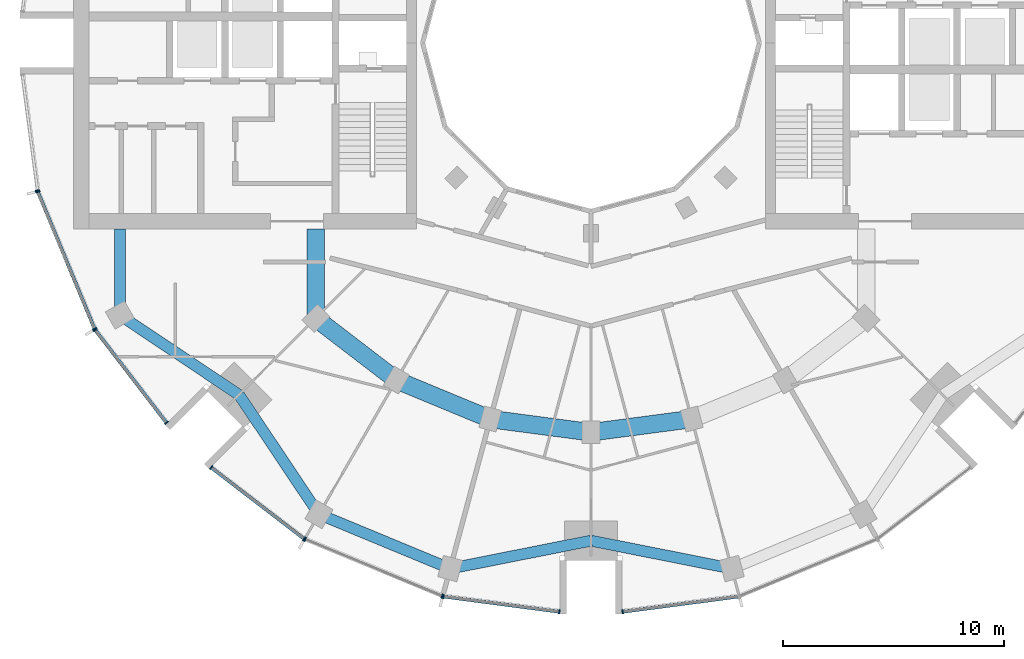
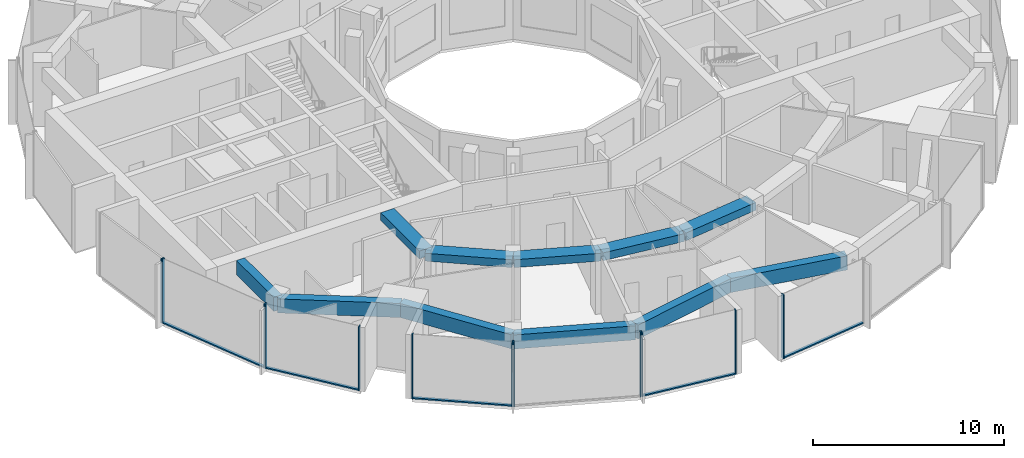
# One storey, part 2 of 15: 17 members, 11 beams, 7 elements without a shape of their own.
"""IFC4 building model written with IfcOpenShell, lengths in metres."""

from ifc_helpers import new_model, si_unit, direction, frame, origin, origin_2d, place, context, subcontext, project, spatial, rectangle, extrude, material, layer, layer_set, material_profile, profile_set, type_object, element, aggregate, save


model = new_model("IFC4")

# Units and contexts
model_context = context("Model", 3, precision=1e-05, world=origin(), true_north=direction((0.0, 1.0)))
body_context = subcontext(model_context, "Body", "Model", "MODEL_VIEW")
ifc_project = project(units=[si_unit("LENGTHUNIT", "METRE"), si_unit("AREAUNIT", "SQUARE_METRE"), si_unit("VOLUMEUNIT", "CUBIC_METRE"), si_unit("PLANEANGLEUNIT", "RADIAN"), si_unit("MASSUNIT", "GRAM", prefix="KILO")], contexts=[model_context])

# Site, building, storey
site_placement = place(None, origin())
site = spatial("IfcSite", under=ifc_project, at=site_placement, CompositionType="ELEMENT")
building_placement = place(site_placement, origin())
building = spatial("IfcBuilding", under=site, at=building_placement, Name="Torre Brocal", CompositionType="ELEMENT")
storey_placement = place(building_placement, frame((0.0, 0.0, 198.699951171875)))
storey = spatial("IfcBuildingStorey", under=building, at=storey_placement, Name="L46", CompositionType="ELEMENT", Elevation=198.699951171875)

# Curtain wall, members
ifc_material_1 = material(Name="Aluminium and glass", Category="aluminium")
ifc_layer_1 = layer(ifc_material_1, 0.199951171875)
ifc_layer_set_1 = layer_set([ifc_layer_1], Name="Aluminium and glass")
curtain_wall_type_1 = type_object("IfcCurtainWallType", Name="CW-1 CURTAIN WALL 4100 HIGH", PredefinedType="NOTDEFINED", material=ifc_layer_set_1)
curtain_wall_1_placement = place(storey_placement, origin())
curtain_wall_1 = element("IfcCurtainWall", 1, at=curtain_wall_1_placement, inside=storey, type_object=curtain_wall_type_1, Name="CW-1 RUN 14", PredefinedType="NOTDEFINED")
ifc_material_2 = material(Name="Aluminium, dark anodised", Category="aluminium")
ifc_material_profile_1 = material_profile(ifc_material_2, rectangle(XDim=0.199951171875, YDim=0.06005859375, at=origin_2d()), Name="CW-1 MULLION 60X200")
ifc_profile_set_1 = profile_set([ifc_material_profile_1], Name="Aluminium, dark anodised")
member_type_1 = type_object("IfcMemberType", Name="CW-1 MULLION 60X200", PredefinedType="MULLION", material=ifc_profile_set_1)
member_1_placement = place(storey_placement, frame((54.994873046875, 68.26904296875, 0.0), z_axis=(0.0, 0.0, 1.0), x_axis=(0.923879532525, 0.382683432333, 0.0)))
member_1 = element("IfcMember", 2, at=member_1_placement, type_object=member_type_1, Name="CW1-4 mullion 1", PredefinedType="MULLION", context=body_context, shape_type="SweptSolid", body=[
    extrude(rectangle(XDim=0.199951171875, YDim=0.06005859375, at=origin_2d()), origin(), (0.0, 0.0, 1.0), 4.10009765625),
])
member_2_placement = place(storey_placement, frame((57.559326171875, 62.078125, 0.0), z_axis=(0.0, 0.0, 1.0), x_axis=(0.923879532525, 0.382683432333, 0.0)))
member_2 = element("IfcMember", 3, at=member_2_placement, type_object=member_type_1, Name="CW1-4 mullion 2", PredefinedType="MULLION", context=body_context, shape_type="SweptSolid", body=[
    extrude(rectangle(XDim=0.199951171875, YDim=0.06005859375, at=origin_2d()), origin(), (0.0, 0.0, 1.0), 4.10009765625),
])

curtain_wall_2_placement = place(storey_placement, origin())
curtain_wall_2 = element("IfcCurtainWall", 4, at=curtain_wall_2_placement, inside=storey, type_object=curtain_wall_type_1, Name="CW-1 RUN 15", PredefinedType="NOTDEFINED")
member_3_placement = place(storey_placement, frame((57.5888671875, 62.026611328125, 0.0), z_axis=(0.0, 0.0, 1.0), x_axis=(0.793353340259, 0.60876142905, 0.0)))
member_3 = element("IfcMember", 5, at=member_3_placement, type_object=member_type_1, Name="CW1-4 mullion 1", PredefinedType="MULLION", context=body_context, shape_type="SweptSolid", body=[
    extrude(rectangle(XDim=0.199951171875, YDim=0.06005859375, at=origin_2d()), origin(), (0.0, 0.0, 1.0), 4.10009765625),
])
member_4_placement = place(storey_placement, frame((60.80859375, 57.83056640625, 0.0), z_axis=(0.0, 0.0, 1.0), x_axis=(0.793353340259, 0.60876142905, 0.0)))
member_4 = element("IfcMember", 6, at=member_4_placement, type_object=member_type_1, Name="CW1-4 mullion 2", PredefinedType="MULLION", context=body_context, shape_type="SweptSolid", body=[
    extrude(rectangle(XDim=0.199951171875, YDim=0.06005859375, at=origin_2d()), origin(), (0.0, 0.0, 1.0), 4.10009765625),
])

curtain_wall_3_placement = place(storey_placement, origin())
curtain_wall_3 = element("IfcCurtainWall", 7, at=curtain_wall_3_placement, inside=storey, type_object=curtain_wall_type_1, Name="CW-1 RUN 16", PredefinedType="NOTDEFINED")
member_5_placement = place(storey_placement, frame((62.83056640625, 55.80859375, 0.0), z_axis=(0.0, 0.0, 1.0), x_axis=(0.60876142905, 0.793353340259, 0.0)))
member_5 = element("IfcMember", 8, at=member_5_placement, type_object=member_type_1, Name="CW1-4 mullion 1", PredefinedType="MULLION", context=body_context, shape_type="SweptSolid", body=[
    extrude(rectangle(XDim=0.199951171875, YDim=0.06005859375, at=origin_2d()), origin(), (0.0, 0.0, 1.0), 4.10009765625),
])
member_6_placement = place(storey_placement, frame((67.026611328125, 52.5888671875, 0.0), z_axis=(0.0, 0.0, 1.0), x_axis=(0.60876142905, 0.793353340259, 0.0)))
member_6 = element("IfcMember", 9, at=member_6_placement, type_object=member_type_1, Name="CW1-4 mullion 2", PredefinedType="MULLION", context=body_context, shape_type="SweptSolid", body=[
    extrude(rectangle(XDim=0.199951171875, YDim=0.06005859375, at=origin_2d()), origin(), (0.0, 0.0, 1.0), 4.10009765625),
])

curtain_wall_4_placement = place(storey_placement, origin())
curtain_wall_4 = element("IfcCurtainWall", 10, at=curtain_wall_4_placement, inside=storey, type_object=curtain_wall_type_1, Name="CW-1 RUN 17", PredefinedType="NOTDEFINED")
member_7_placement = place(storey_placement, frame((67.078125, 52.559326171875, 0.0), z_axis=(0.0, 0.0, 1.0), x_axis=(0.382683432333, 0.923879532525, 0.0)))
member_7 = element("IfcMember", 11, at=member_7_placement, type_object=member_type_1, Name="CW1-4 mullion 1", PredefinedType="MULLION", context=body_context, shape_type="SweptSolid", body=[
    extrude(rectangle(XDim=0.199951171875, YDim=0.06005859375, at=origin_2d()), origin(), (0.0, 0.0, 1.0), 4.10009765625),
])
member_8_placement = place(storey_placement, frame((73.26904296875, 49.994873046875, 0.0), z_axis=(0.0, 0.0, 1.0), x_axis=(0.382683432333, 0.923879532525, 0.0)))
member_8 = element("IfcMember", 12, at=member_8_placement, type_object=member_type_1, Name="CW1-4 mullion 2", PredefinedType="MULLION", context=body_context, shape_type="SweptSolid", body=[
    extrude(rectangle(XDim=0.199951171875, YDim=0.06005859375, at=origin_2d()), origin(), (0.0, 0.0, 1.0), 4.10009765625),
])
aggregate(curtain_wall_4, [member_7, member_8])

curtain_wall_5_placement = place(storey_placement, origin())
curtain_wall_5 = element("IfcCurtainWall", 13, at=curtain_wall_5_placement, inside=storey, type_object=curtain_wall_type_1, Name="CW-1 RUN 18", PredefinedType="NOTDEFINED")
member_9_placement = place(storey_placement, frame((73.32666015625, 49.9794921875, 0.0), z_axis=(0.0, 0.0, 1.0), x_axis=(0.13052619222, 0.991444861374, 0.0)))
member_9 = element("IfcMember", 14, at=member_9_placement, type_object=member_type_1, Name="CW1-4 mullion 1", PredefinedType="MULLION", context=body_context, shape_type="SweptSolid", body=[
    extrude(rectangle(XDim=0.199951171875, YDim=0.06005859375, at=origin_2d()), origin(), (0.0, 0.0, 1.0), 4.10009765625),
])
member_10_placement = place(storey_placement, frame((78.5703125, 49.2890625, 0.0), z_axis=(0.0, 0.0, 1.0), x_axis=(0.13052619222, 0.991444861374, 0.0)))
member_10 = element("IfcMember", 15, at=member_10_placement, type_object=member_type_1, Name="CW1-4 mullion 2", PredefinedType="MULLION", context=body_context, shape_type="SweptSolid", body=[
    extrude(rectangle(XDim=0.199951171875, YDim=0.06005859375, at=origin_2d()), origin(), (0.0, 0.0, 1.0), 4.10009765625),
])

# Curtain wall, member
curtain_wall_6_placement = place(storey_placement, origin())
curtain_wall_6 = element("IfcCurtainWall", 16, at=curtain_wall_6_placement, inside=storey, type_object=curtain_wall_type_1, Name="CW-1 RUN 19", PredefinedType="NOTDEFINED")
member_11_placement = place(storey_placement, frame((81.4296875, 49.2890625, 0.0), z_axis=(0.0, 0.0, 1.0), x_axis=(-0.13052619222, 0.991444861374, 0.0)))
member_11 = element("IfcMember", 17, at=member_11_placement, type_object=member_type_1, Name="CW1-4 mullion 1", PredefinedType="MULLION", context=body_context, shape_type="SweptSolid", body=[
    extrude(rectangle(XDim=0.199951171875, YDim=0.06005859375, at=origin_2d()), origin(), (0.0, 0.0, 1.0), 4.10009765625),
])

# Member
ifc_material_3 = material(Name="Aluminium, dark anodised", Category="aluminium")
ifc_material_profile_2 = material_profile(ifc_material_3, rectangle(XDim=0.159912109375, YDim=0.080078125, at=origin_2d()), Name="CW-1 TRANSOM 160X80")
ifc_profile_set_2 = profile_set([ifc_material_profile_2], Name="Aluminium, dark anodised")
member_type_2 = type_object("IfcMemberType", Name="CW-1 TRANSOM 160X80", PredefinedType="USERDEFINED", material=ifc_profile_set_2)
member_12_placement = place(storey_placement, frame((55.00634765625, 68.241455078125, 0.0400390625), z_axis=(0.38266457234, -0.923887344364, 0.0), x_axis=(0.923887344364, 0.38266457234, 0.0)))
member_12 = element("IfcMember", 18, at=member_12_placement, type_object=member_type_2, Name="CW1-4 transom 1.1", ObjectType="TRANSOM", PredefinedType="USERDEFINED", context=body_context, shape_type="SweptSolid", body=[
    extrude(rectangle(XDim=0.159912109375, YDim=0.080078125, at=origin_2d()), origin(), (0.0, 0.0, 1.0), 6.640869140625),
])

aggregate(curtain_wall_1, [member_1, member_2, member_12])

member_13_placement = place(storey_placement, frame((57.607177734375, 62.0029296875, 0.0400390625), z_axis=(0.60874908096, -0.79336281513, 0.0), x_axis=(0.79336281513, 0.60874908096, 0.0)))
member_13 = element("IfcMember", 19, at=member_13_placement, type_object=member_type_2, Name="CW1-4 transom 1.1", ObjectType="TRANSOM", PredefinedType="USERDEFINED", context=body_context, shape_type="SweptSolid", body=[
    extrude(rectangle(XDim=0.159912109375, YDim=0.080078125, at=origin_2d()), origin(), (0.0, 0.0, 1.0), 5.22900390625),
])

aggregate(curtain_wall_2, [member_3, member_4, member_13])

member_14_placement = place(storey_placement, frame((62.8544921875, 55.790283203125, 0.0400390625), z_axis=(0.79336281513, -0.60874908096, 0.0), x_axis=(0.60874908096, 0.79336281513, 0.0)))
member_14 = element("IfcMember", 20, at=member_14_placement, type_object=member_type_2, Name="CW1-4 transom 1.1", ObjectType="TRANSOM", PredefinedType="USERDEFINED", context=body_context, shape_type="SweptSolid", body=[
    extrude(rectangle(XDim=0.159912109375, YDim=0.080078125, at=origin_2d()), origin(), (0.0, 0.0, 1.0), 5.22900390625),
])

aggregate(curtain_wall_3, [member_5, member_6, member_14])

member_15_placement = place(storey_placement, frame((73.356201171875, 49.9755859375, 0.0400390625), z_axis=(0.991442690863, -0.130542677827, 0.0), x_axis=(0.130542677827, 0.991442690863, 0.0)))
member_15 = element("IfcMember", 21, at=member_15_placement, type_object=member_type_2, Name="CW1-4 transom 1.1", ObjectType="TRANSOM", PredefinedType="USERDEFINED", context=body_context, shape_type="SweptSolid", body=[
    extrude(rectangle(XDim=0.159912109375, YDim=0.080078125, at=origin_2d()), origin(), (0.0, 0.0, 1.0), 5.22900390625),
])

aggregate(curtain_wall_5, [member_9, member_10, member_15])

member_16_placement = place(storey_placement, frame((81.45947265625, 49.29296875, 0.0400390625), z_axis=(0.991442690863, 0.130542677827, 0.0), x_axis=(-0.130542677827, 0.991442690863, 0.0)))
member_16 = element("IfcMember", 22, at=member_16_placement, type_object=member_type_2, Name="CW1-4 transom 1.1", ObjectType="TRANSOM", PredefinedType="USERDEFINED", context=body_context, shape_type="SweptSolid", body=[
    extrude(rectangle(XDim=0.159912109375, YDim=0.080078125, at=origin_2d()), origin(), (0.0, 0.0, 1.0), 5.22900390625),
])

aggregate(curtain_wall_6, [member_11, member_16])

# Curtain wall, member
ifc_material_4 = material(Name="Aluminium and glass", Category="aluminium")
ifc_layer_2 = layer(ifc_material_4, 0.199951171875)
ifc_layer_set_2 = layer_set([ifc_layer_2], Name="Aluminium and glass")
curtain_wall_type_2 = type_object("IfcCurtainWallType", Name="CW-1B CURTAIN WALL 4100 HIGH", PredefinedType="NOTDEFINED", material=ifc_layer_set_2)
curtain_wall_7_placement = place(storey_placement, origin())
curtain_wall_7 = element("IfcCurtainWall", 23, at=curtain_wall_7_placement, inside=storey, type_object=curtain_wall_type_2, Name="CW-1B RUN 13", PredefinedType="NOTDEFINED")
ifc_material_5 = material(Name="Aluminium, dark anodised", Category="aluminium")
ifc_material_profile_3 = material_profile(ifc_material_5, rectangle(XDim=0.199951171875, YDim=0.06005859375, at=origin_2d()), Name="CW-1B MULLION 60X200")
ifc_profile_set_3 = profile_set([ifc_material_profile_3], Name="Aluminium, dark anodised")
member_type_3 = type_object("IfcMemberType", Name="CW-1B MULLION 60X200", PredefinedType="MULLION", material=ifc_profile_set_3)
member_17_placement = place(storey_placement, frame((54.9794921875, 68.32666015625, 0.0), z_axis=(0.0, 0.0, 1.0), x_axis=(0.991444861374, 0.13052619222, 0.0)))
member_17 = element("IfcMember", 24, at=member_17_placement, type_object=member_type_3, Name="CW1B-4 mullion 2", PredefinedType="MULLION", context=body_context, shape_type="SweptSolid", body=[
    extrude(rectangle(XDim=0.199951171875, YDim=0.06005859375, at=origin_2d()), origin(), (0.0, 0.0, 1.0), 4.10009765625),
])
aggregate(curtain_wall_7, [member_17])

# Beams
ifc_material_6 = material(Name="Concrete C50", Category="concrete")
ifc_material_profile_4 = material_profile(ifc_material_6, rectangle(XDim=0.800048828125, YDim=0.5, at=origin_2d()), Name="RC 800X500")
ifc_profile_set_4 = profile_set([ifc_material_profile_4], Name="Concrete C50")
beam_type_1 = type_object("IfcBeamType", Name="RC BEAM 800X500 C50 TOP 3780", PredefinedType="BEAM", material=ifc_profile_set_4)
beam_1_placement = place(storey_placement, frame((67.554931640625, 62.554931640625, 3.530029296875), z_axis=(0.0, 1.0, 0.0), x_axis=(-1.0, 0.0, 0.0)))
element("IfcBeam", 25, at=beam_1_placement, inside=storey, type_object=beam_type_1, Name="Beam BT-32", PredefinedType="BEAM", context=body_context, shape_type="SweptSolid", body=[
    extrude(rectangle(XDim=0.800048828125, YDim=0.5, at=origin_2d()), origin(), (0.0, 0.0, 1.0), 4.045166015625),
])
beam_2_placement = place(storey_placement, frame((67.554931640625, 62.554931640625, 3.530029296875), z_axis=(0.793358265959, -0.6087550097, 0.0), x_axis=(0.6087550097, 0.793358265959, 0.0)))
element("IfcBeam", 26, at=beam_2_placement, inside=storey, type_object=beam_type_1, Name="Beam BT-32", PredefinedType="BEAM", context=body_context, shape_type="SweptSolid", body=[
    extrude(rectangle(XDim=0.800048828125, YDim=0.5, at=origin_2d()), origin(), (0.0, 0.0, 1.0), 4.594482421875),
])
beam_3_placement = place(storey_placement, frame((71.199951171875, 59.758056640625, 3.530029296875), z_axis=(0.923878240166, -0.382686552348, 0.0), x_axis=(0.382686552348, 0.923878240166, 0.0)))
element("IfcBeam", 27, at=beam_3_placement, inside=storey, type_object=beam_type_1, Name="Beam BT-32", PredefinedType="BEAM", context=body_context, shape_type="SweptSolid", body=[
    extrude(rectangle(XDim=0.800048828125, YDim=0.5, at=origin_2d()), origin(), (0.0, 0.0, 1.0), 4.5947265625),
])
for number, where, z_axis, x_axis, name in (
    (28, (75.44482421875, 57.999755859375, 3.530029296875), (0.991440544449, -0.130558978332, 0.0), (0.130558978332, 0.991440544449, 0.0), "Beam BT-32"),
    (29, (80.0, 57.39990234375, 3.530029296875), (0.991440544449, 0.130558978332, 0.0), (-0.130558978332, 0.991440544449, 0.0), "Beam BT-32"),
):
    element("IfcBeam", number, at=place(storey_placement, frame(where, z_axis=z_axis, x_axis=x_axis)), inside=storey, type_object=beam_type_1, Name=name, PredefinedType="BEAM", context=body_context, shape_type="SweptSolid", body=[
        extrude(rectangle(XDim=0.800048828125, YDim=0.5, at=origin_2d()), origin(), (0.0, 0.0, 1.0), 4.594482421875),
    ])
ifc_material_7 = material(Name="Concrete C50", Category="concrete")
ifc_material_profile_5 = material_profile(ifc_material_7, rectangle(XDim=0.5, YDim=0.89990234375, at=origin_2d()), Name="RC 500X900")
ifc_profile_set_5 = profile_set([ifc_material_profile_5], Name="Concrete C50")
beam_type_2 = type_object("IfcBeamType", Name="RC SPANDREL BEAM 500X900 C50 TOP 3780", PredefinedType="SPANDREL", material=ifc_profile_set_5)
beam_4_placement = place(storey_placement, frame((58.69580078125, 62.699951171875, 3.330078125), z_axis=(0.0, 1.0, 0.0), x_axis=(-1.0, 0.0, 0.0)))
element("IfcBeam", 30, at=beam_4_placement, inside=storey, type_object=beam_type_2, Name="Beam BT-33", PredefinedType="SPANDREL", context=body_context, shape_type="SweptSolid", body=[
    extrude(rectangle(XDim=0.5, YDim=0.89990234375, at=origin_2d()), origin(), (0.0, 0.0, 1.0), 3.900146484375),
])
for number, where, z_axis, x_axis, name in (
    (31, (58.69580078125, 62.699951171875, 3.330078125), (0.831076844476, -0.556157602282, 0.0), (0.556157602282, 0.831076844476, 0.0), "Beam BT-33"),
    (32, (64.090087890625, 59.090087890625, 3.330078125), (0.556157602282, -0.831076844476, 0.0), (0.831076844476, 0.556157602282, 0.0), "Beam BT-33"),
):
    element("IfcBeam", number, at=place(storey_placement, frame(where, z_axis=z_axis, x_axis=x_axis)), inside=storey, type_object=beam_type_2, Name=name, PredefinedType="SPANDREL", context=body_context, shape_type="SweptSolid", body=[
        extrude(rectangle(XDim=0.5, YDim=0.89990234375, at=origin_2d()), origin(), (0.0, 0.0, 1.0), 6.49072265625),
    ])
beam_5_placement = place(storey_placement, frame((67.699951171875, 53.69580078125, 3.330078125), z_axis=(0.923882462513, -0.382676358639, 0.0), x_axis=(0.382676358639, 0.923882462513, 0.0)))
element("IfcBeam", 33, at=beam_5_placement, inside=storey, type_object=beam_type_2, Name="Beam BT-33", PredefinedType="SPANDREL", context=body_context, shape_type="SweptSolid", body=[
    extrude(rectangle(XDim=0.5, YDim=0.89990234375, at=origin_2d()), origin(), (0.0, 0.0, 1.0), 6.421875),
])
for number, where, z_axis, x_axis, name in (
    (34, (73.633056640625, 51.23828125, 3.330078125), (0.980924907484, 0.194387051723, 0.0), (-0.194387051723, 0.980924907484, 0.0), "Beam BT-33"),
    (35, (80.0, 52.5, 3.330078125), (0.980924907484, -0.194387051723, 0.0), (0.194387051723, 0.980924907484, 0.0), "Beam BT-33"),
):
    element("IfcBeam", number, at=place(storey_placement, frame(where, z_axis=z_axis, x_axis=x_axis)), inside=storey, type_object=beam_type_2, Name=name, PredefinedType="SPANDREL", context=body_context, shape_type="SweptSolid", body=[
        extrude(rectangle(XDim=0.5, YDim=0.89990234375, at=origin_2d()), origin(), (0.0, 0.0, 1.0), 6.49072265625),
    ])

save(model, "model.ifc")
